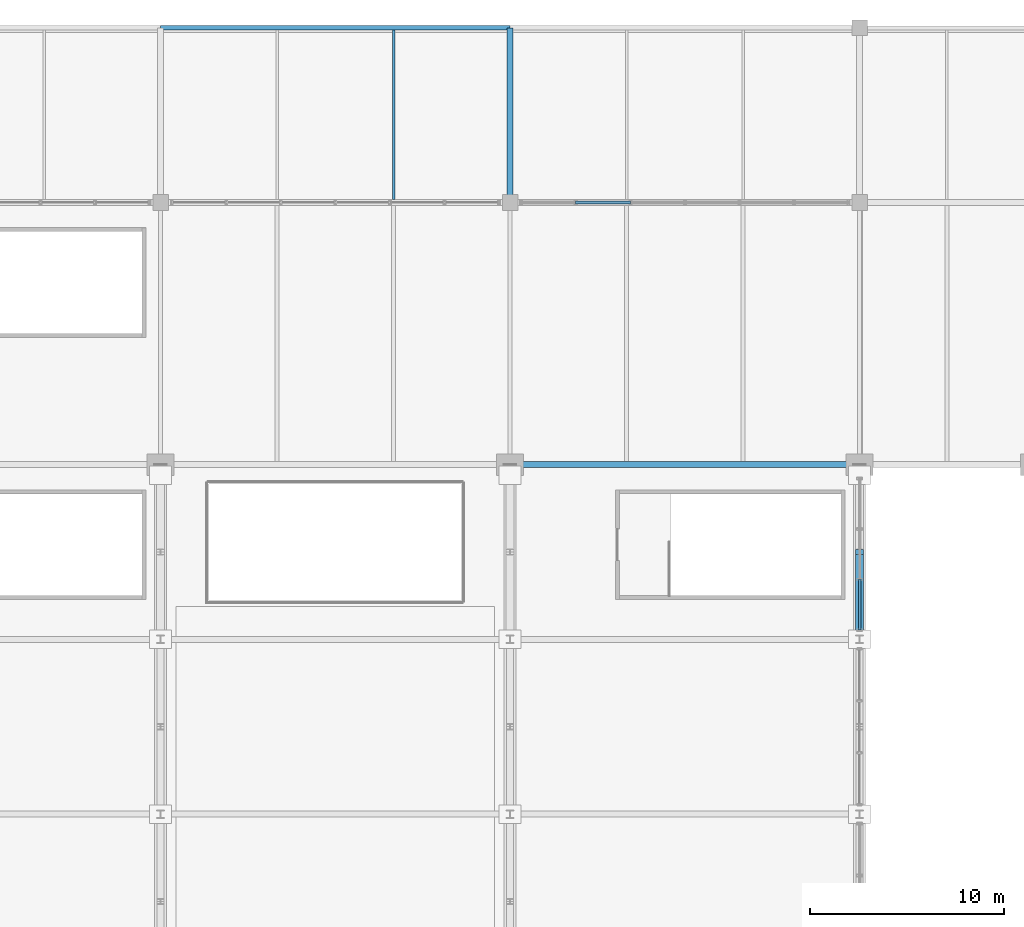
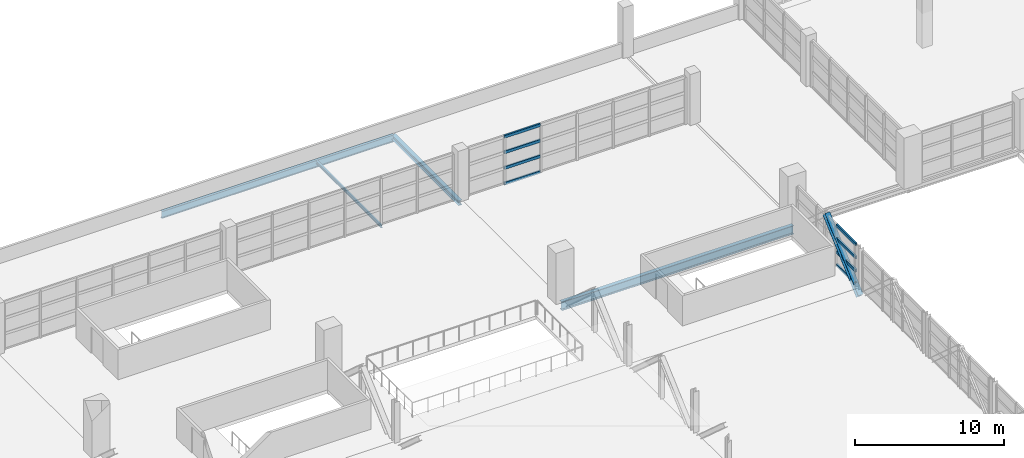
# One storey, part 50 of 136: 9 members, 4 beams, 2 elements without a shape of their own.
"""IFC4 building model written with IfcOpenShell, lengths in metres."""

from ifc_helpers import new_model, si_unit, direction, frame, origin, origin_2d, place, context, subcontext, project, spatial, hollow_rectangle, i_section, extrude, material, material_profile, profile_set, type_object, element, aggregate, save


model = new_model("IFC4")

# Units and contexts
model_context = context("Model", 3, precision=1e-05, world=origin(), true_north=direction((0.0, 1.0)))
body_context = subcontext(model_context, "Body", "Model", "MODEL_VIEW")
ifc_project = project(units=[si_unit("LENGTHUNIT", "METRE"), si_unit("AREAUNIT", "SQUARE_METRE"), si_unit("VOLUMEUNIT", "CUBIC_METRE"), si_unit("PLANEANGLEUNIT", "RADIAN"), si_unit("MASSUNIT", "GRAM", prefix="KILO")], contexts=[model_context])

# Site, building, storey
site_placement = place(None, origin())
site = spatial("IfcSite", under=ifc_project, at=site_placement, CompositionType="ELEMENT")
building_placement = place(site_placement, origin())
building = spatial("IfcBuilding", under=site, at=building_placement, Name="Chuanluo Vaults Station", CompositionType="ELEMENT")
storey_placement = place(building_placement, frame((0.0, 0.0, 6.60009765625)))
storey = spatial("IfcBuildingStorey", under=building, at=storey_placement, Name="L01", CompositionType="ELEMENT", Elevation=6.60009765625)

# Beams
ifc_material_1 = material(Name="Steel Q355C", Category="steel")
ifc_material_profile_1 = material_profile(ifc_material_1, i_section(OverallWidth=0.300048828125, OverallDepth=0.389892578125, WebThickness=0.010009765625, FlangeThickness=0.01611328125, FilletRadius=0.02001953125, at=origin_2d()))
ifc_profile_set_1 = profile_set([ifc_material_profile_1], Name="Steel Q355C")
beam_type_1 = type_object("IfcBeamType", Name="BM-GRD-400", PredefinedType="BEAM", material=ifc_profile_set_1)
beam_1_placement = place(storey_placement, frame((90.0, 117.0, -0.400146484375), z_axis=(0.0, 1.0, 0.0), x_axis=(-1.0, 0.0, 0.0)))
element("IfcBeam", 1, at=beam_1_placement, inside=storey, type_object=beam_type_1, Name="Floor girder BM:GY:L01:0446", PredefinedType="BEAM", context=body_context, shape_type="SweptSolid", body=[
    extrude(i_section(OverallWidth=0.300048828125, OverallDepth=0.389892578125, WebThickness=0.010009765625, FlangeThickness=0.01611328125, FilletRadius=0.02001953125, at=origin_2d()), origin(), (0.0, 0.0, 1.0), 9.0),
])
ifc_material_2 = material(Name="Steel Q355C", Category="steel")
ifc_material_profile_2 = material_profile(ifc_material_2, i_section(OverallWidth=0.300048828125, OverallDepth=0.699951171875, WebThickness=0.012939453125, FlangeThickness=0.02392578125, FilletRadius=0.02197265625, at=origin_2d()))
ifc_profile_set_2 = profile_set([ifc_material_profile_2], Name="Steel Q355C")
beam_type_2 = type_object("IfcBeamType", Name="BM-GRD-700", PredefinedType="USERDEFINED", material=ifc_profile_set_2)
beam_2_placement = place(storey_placement, frame((90.0, 103.5, -0.630126953125), z_axis=(1.0, 0.0, 0.0), x_axis=(0.0, 1.0, 0.0)))
element("IfcBeam", 2, at=beam_2_placement, inside=storey, type_object=beam_type_2, Name="Floor girder BM:GX:L01:0367", ObjectType="GIRDER", PredefinedType="USERDEFINED", context=body_context, shape_type="SweptSolid", body=[
    extrude(i_section(OverallWidth=0.300048828125, OverallDepth=0.699951171875, WebThickness=0.012939453125, FlangeThickness=0.02392578125, FilletRadius=0.02197265625, at=origin_2d()), origin(), (0.0, 0.0, 1.0), 18.0),
])
ifc_material_3 = material(Name="Steel Q355C", Category="steel")
ifc_material_profile_3 = material_profile(ifc_material_3, i_section(OverallWidth=0.125, OverallDepth=0.25, WebThickness=0.006103515625, FlangeThickness=0.009033203125, FilletRadius=0.011962890625, at=origin_2d()))
ifc_profile_set_3 = profile_set([ifc_material_profile_3], Name="Steel Q355C")
beam_type_3 = type_object("IfcBeamType", Name="BM-SEC-250", PredefinedType="JOIST", material=ifc_profile_set_3)
beam_3_placement = place(storey_placement, frame((84.0, 117.155029296875, -0.330078125), z_axis=(0.0, 1.0, 0.0), x_axis=(-1.0, 0.0, 0.0)))
element("IfcBeam", 3, at=beam_3_placement, inside=storey, type_object=beam_type_3, Name="Composite secondary joist 0135", PredefinedType="JOIST", context=body_context, shape_type="SweptSolid", body=[
    extrude(i_section(OverallWidth=0.125, OverallDepth=0.25, WebThickness=0.006103515625, FlangeThickness=0.009033203125, FilletRadius=0.011962890625, at=origin_2d()), origin(), (0.0, 0.0, 1.0), 8.73486328125),
])
ifc_material_4 = material(Name="Steel Q355C", Category="steel")
ifc_material_profile_4 = material_profile(ifc_material_4, i_section(OverallWidth=0.2099609375, OverallDepth=0.580078125, WebThickness=0.010986328125, FlangeThickness=0.01708984375, FilletRadius=0.01806640625, at=origin_2d()))
ifc_profile_set_4 = profile_set([ifc_material_profile_4], Name="Steel Q355C")
beam_type_4 = type_object("IfcBeamType", Name="BM-SPN-600", PredefinedType="SPANDREL", material=ifc_profile_set_4)
beam_4_placement = place(storey_placement, frame((72.0, 126.0, -0.4951171875), z_axis=(1.0, 0.0, 0.0), x_axis=(0.0, 1.0, 0.0)))
element("IfcBeam", 4, at=beam_4_placement, inside=storey, type_object=beam_type_4, Name="Floor girder BM:GX:L01:0395", PredefinedType="SPANDREL", context=body_context, shape_type="SweptSolid", body=[
    extrude(i_section(OverallWidth=0.2099609375, OverallDepth=0.580078125, WebThickness=0.010986328125, FlangeThickness=0.01708984375, FilletRadius=0.01806640625, at=origin_2d()), origin(), (0.0, 0.0, 1.0), 18.0),
])

# Curtain wall, members
ifc_material_5 = material(Name="Anodised aluminium 6063-T6", Category="aluminium")
curtain_wall_type_1 = type_object("IfcCurtainWallType", Name="CW-SYS-22", PredefinedType="NOTDEFINED", material=ifc_material_5)
curtain_wall_1_placement = place(storey_placement, origin())
curtain_wall_1 = element("IfcCurtainWall", 5, at=curtain_wall_1_placement, inside=storey, type_object=curtain_wall_type_1, Name="Over-track V6 north facade CW", PredefinedType="NOTDEFINED")
ifc_material_6 = material(Name="Anodised aluminium 6063-T6", Category="aluminium")
ifc_material_profile_5 = material_profile(ifc_material_6, hollow_rectangle(XDim=0.1298828125, YDim=0.22998046875, WallThickness=0.006103515625, at=origin_2d()))
ifc_profile_set_5 = profile_set([ifc_material_profile_5], Name="Anodised aluminium 6063-T6")
member_type_1 = type_object("IfcMemberType", Name="CWT-150", PredefinedType="USERDEFINED", material=ifc_profile_set_5)
member_1_placement = place(storey_placement, frame((93.38330078125, 117.0, 0.0), z_axis=(1.0, 0.0, 0.0), x_axis=(0.0, 1.0, 0.0)))
member_1 = element("IfcMember", 6, at=member_1_placement, type_object=member_type_1, Name="Over-track V6 north facade CW transom 2.1", ObjectType="TRANSOM", PredefinedType="USERDEFINED", context=body_context, shape_type="SweptSolid", body=[
    extrude(hollow_rectangle(XDim=0.1298828125, YDim=0.22998046875, WallThickness=0.006103515625, at=origin_2d()), origin(), (0.0, 0.0, 1.0), 2.808349609375),
])
member_2_placement = place(storey_placement, frame((93.38330078125, 117.0, 1.283203125), z_axis=(1.0, 0.0, 0.0), x_axis=(0.0, 1.0, 0.0)))
member_2 = element("IfcMember", 7, at=member_2_placement, type_object=member_type_1, Name="Over-track V6 north facade CW transom 2.2", ObjectType="TRANSOM", PredefinedType="USERDEFINED", context=body_context, shape_type="SweptSolid", body=[
    extrude(hollow_rectangle(XDim=0.1298828125, YDim=0.22998046875, WallThickness=0.006103515625, at=origin_2d()), origin(), (0.0, 0.0, 1.0), 2.808349609375),
])
member_3_placement = place(storey_placement, frame((93.38330078125, 117.0, 2.566650390625), z_axis=(1.0, 0.0, 0.0), x_axis=(0.0, 1.0, 0.0)))
member_3 = element("IfcMember", 8, at=member_3_placement, type_object=member_type_1, Name="Over-track V6 north facade CW transom 2.3", ObjectType="TRANSOM", PredefinedType="USERDEFINED", context=body_context, shape_type="SweptSolid", body=[
    extrude(hollow_rectangle(XDim=0.1298828125, YDim=0.22998046875, WallThickness=0.006103515625, at=origin_2d()), origin(), (0.0, 0.0, 1.0), 2.808349609375),
])
member_4_placement = place(storey_placement, frame((93.38330078125, 117.0, 3.849853515625), z_axis=(1.0, 0.0, 0.0), x_axis=(0.0, 1.0, 0.0)))
member_4 = element("IfcMember", 9, at=member_4_placement, type_object=member_type_1, Name="Over-track V6 north facade CW transom 2.4", ObjectType="TRANSOM", PredefinedType="USERDEFINED", context=body_context, shape_type="SweptSolid", body=[
    extrude(hollow_rectangle(XDim=0.1298828125, YDim=0.22998046875, WallThickness=0.006103515625, at=origin_2d()), origin(), (0.0, 0.0, 1.0), 2.808349609375),
])
aggregate(curtain_wall_1, [member_1, member_2, member_3, member_4])

ifc_material_7 = material(Name="Anodised aluminium 6063-T6", Category="aluminium")
curtain_wall_type_2 = type_object("IfcCurtainWallType", Name="CW-SYS-02", PredefinedType="NOTDEFINED", material=ifc_material_7)
curtain_wall_2_placement = place(storey_placement, origin())
curtain_wall_2 = element("IfcCurtainWall", 10, at=curtain_wall_2_placement, inside=storey, type_object=curtain_wall_type_2, Name="Over-track east hall CW 94", PredefinedType="NOTDEFINED")
member_5_placement = place(storey_placement, frame((108.0, 97.574951171875, 0.0), z_axis=(0.0, -1.0, 0.0), x_axis=(1.0, 0.0, 0.0)))
member_5 = element("IfcMember", 11, at=member_5_placement, type_object=member_type_1, Name="Over-track east hall CW 94 transom 3.1", ObjectType="TRANSOM", PredefinedType="USERDEFINED", context=body_context, shape_type="SweptSolid", body=[
    extrude(hollow_rectangle(XDim=0.1298828125, YDim=0.22998046875, WallThickness=0.006103515625, at=origin_2d()), origin(), (0.0, 0.0, 1.0), 2.599853515625),
])
member_6_placement = place(storey_placement, frame((108.0, 97.574951171875, 1.083251953125), z_axis=(0.0, -1.0, 0.0), x_axis=(1.0, 0.0, 0.0)))
member_6 = element("IfcMember", 12, at=member_6_placement, type_object=member_type_1, Name="Over-track east hall CW 94 transom 3.2", ObjectType="TRANSOM", PredefinedType="USERDEFINED", context=body_context, shape_type="SweptSolid", body=[
    extrude(hollow_rectangle(XDim=0.1298828125, YDim=0.22998046875, WallThickness=0.006103515625, at=origin_2d()), origin(), (0.0, 0.0, 1.0), 2.599853515625),
])
member_7_placement = place(storey_placement, frame((108.0, 97.574951171875, 2.16650390625), z_axis=(0.0, -1.0, 0.0), x_axis=(1.0, 0.0, 0.0)))
member_7 = element("IfcMember", 13, at=member_7_placement, type_object=member_type_1, Name="Over-track east hall CW 94 transom 3.3", ObjectType="TRANSOM", PredefinedType="USERDEFINED", context=body_context, shape_type="SweptSolid", body=[
    extrude(hollow_rectangle(XDim=0.1298828125, YDim=0.22998046875, WallThickness=0.006103515625, at=origin_2d()), origin(), (0.0, 0.0, 1.0), 2.599853515625),
])
member_8_placement = place(storey_placement, frame((108.0, 97.574951171875, 3.25), z_axis=(0.0, -1.0, 0.0), x_axis=(1.0, 0.0, 0.0)))
member_8 = element("IfcMember", 14, at=member_8_placement, type_object=member_type_1, Name="Over-track east hall CW 94 transom 3.4", ObjectType="TRANSOM", PredefinedType="USERDEFINED", context=body_context, shape_type="SweptSolid", body=[
    extrude(hollow_rectangle(XDim=0.1298828125, YDim=0.22998046875, WallThickness=0.006103515625, at=origin_2d()), origin(), (0.0, 0.0, 1.0), 2.599853515625),
])
aggregate(curtain_wall_2, [member_5, member_6, member_7, member_8])

# Member
ifc_material_8 = material(Name="Steel Q390C", Category="steel")
ifc_material_profile_6 = material_profile(ifc_material_8, i_section(OverallWidth=0.39990234375, OverallDepth=0.407958984375, WebThickness=0.02099609375, FlangeThickness=0.02099609375, FilletRadius=0.02197265625, at=origin_2d()))
ifc_profile_set_6 = profile_set([ifc_material_profile_6], Name="Steel Q390C")
member_type_2 = type_object("IfcMemberType", Name="MEM-DIAG-408", PredefinedType="BRACE", material=ifc_profile_set_6)
member_9_placement = place(storey_placement, frame((108.0, 94.5, -0.68017578125), z_axis=(0.0, 0.744935757439, 0.667136205949), x_axis=(-1.0, 0.0, 0.0)))
element("IfcMember", 15, at=member_9_placement, inside=storey, type_object=member_type_2, Name="Transfer truss TT-7 diagonal 4A", PredefinedType="BRACE", context=body_context, shape_type="SweptSolid", body=[
    extrude(i_section(OverallWidth=0.39990234375, OverallDepth=0.407958984375, WebThickness=0.02099609375, FlangeThickness=0.02099609375, FilletRadius=0.02197265625, at=origin_2d()), origin(), (0.0, 0.0, 1.0), 6.040771484375),
])

save(model, "model.ifc")
